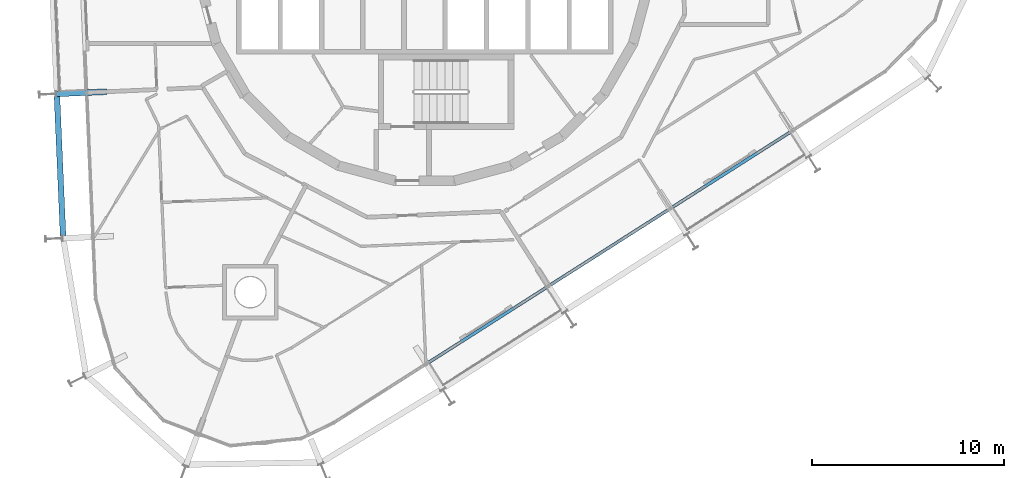
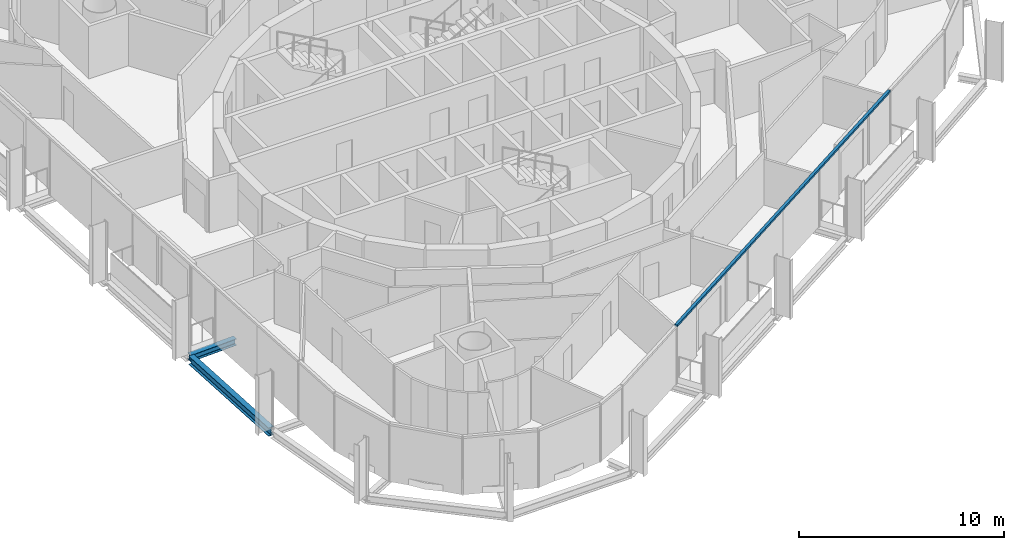
# One storey, part 3 of 18: 2 beams, 1 member, 1 element without a shape of its own.
"""IFC4 building model written with IfcOpenShell, lengths in metres."""

import ifcopenshell
import ifcopenshell.guid

model = None  # the IFC model being written
_history = None  # IfcOwnerHistory: only IFC2X3 demands one
_inside = {}  # id of a spatial element -> (the spatial element, [elements in it])
_under = {}  # id of a project, library or spatial element -> (it, [spatial elements below it])
_declared = {}  # id of a project -> (the project, [libraries it declares])
_typed = {}  # id of a type object -> (the type object, [elements of that type])
_made_of = {}  # id of a material, layer set ... -> (it, [elements and type objects made of it])


def new_model(schema):
    """Start an empty IFC model of exactly this schema.

    Asked for "IFC4X3", IfcOpenShell would pick the latest addendum, in which some entities
    have other attributes; the version numbers below select the first issue.
    IFC2X3 requires an IfcOwnerHistory on every rooted entity: one is made here for all.
    """
    global model, _history
    if schema == "IFC4X3":
        model = ifcopenshell.file(schema_version=(4, 3, 0, 0))
    else:
        model = ifcopenshell.file(schema=schema)
    _inside.clear()
    _under.clear()
    _declared.clear()
    _typed.clear()
    _made_of.clear()
    _history = None
    if model.schema == "IFC2X3":
        org = make("IfcOrganization", Name="unknown")
        user = make(
            "IfcPersonAndOrganization",
            ThePerson=make("IfcPerson", FamilyName="unknown"),
            TheOrganization=org,
        )
        app = make(
            "IfcApplication",
            ApplicationDeveloper=org,
            Version="unknown",
            ApplicationFullName="unknown",
            ApplicationIdentifier="unknown",
        )
        _history = make(
            "IfcOwnerHistory",
            OwningUser=user,
            OwningApplication=app,
            ChangeAction="ADDED",
            CreationDate=0,
        )
    return model


def make(cls, **values):
    """One entity of the class cls with the attributes given. An attribute that is None is left unset."""
    return model.create_entity(
        cls, **{name: value for name, value in values.items() if value is not None}
    )


def rooted(cls, **values):
    """An entity with a GlobalId (a new one), such as an element, a storey or a relation."""
    return make(cls, GlobalId=ifcopenshell.guid.new(), OwnerHistory=_history, **values)


def si_unit(unit_type, name, prefix=None):
    """IfcSIUnit, for example si_unit("LENGTHUNIT", "METRE", prefix="MILLI")."""
    return make("IfcSIUnit", UnitType=unit_type, Prefix=prefix, Name=name)


def assignment(units):
    """IfcUnitAssignment: the units of a project."""
    return None if units is None else make("IfcUnitAssignment", Units=units)


def point(xyz):
    """IfcCartesianPoint."""
    return None if xyz is None else make("IfcCartesianPoint", Coordinates=xyz)


def direction(xyz):
    """IfcDirection."""
    return None if xyz is None else make("IfcDirection", DirectionRatios=xyz)


def frame(location, z_axis=None, x_axis=None):
    """IfcAxis2Placement3D, a coordinate frame: its origin and axes. An axis left out is left unset."""
    return make(
        "IfcAxis2Placement3D",
        Location=point(location),
        Axis=direction(z_axis),
        RefDirection=direction(x_axis),
    )


def frame_2d(location, x_axis=None):
    """IfcAxis2Placement2D, a coordinate frame in the plane: its origin and x axis."""
    return make(
        "IfcAxis2Placement2D", Location=point(location), RefDirection=direction(x_axis)
    )


def origin():
    """The frame at (0, 0, 0) with its axes left unset."""
    return frame((0.0, 0.0, 0.0))


def origin_2d():
    """The frame at (0, 0) in the plane with its x axis left unset."""
    return frame_2d((0.0, 0.0))


def place(relative_to, where):
    """IfcLocalPlacement: puts the frame where relative to a parent placement (None: the world)."""
    return make(
        "IfcLocalPlacement", PlacementRelTo=relative_to, RelativePlacement=where
    )


def context(
    kind, dimensions, precision=None, world=None, true_north=None, identifier=None
):
    """IfcGeometricRepresentationContext, for example the 3D "Model" context."""
    return make(
        "IfcGeometricRepresentationContext",
        ContextIdentifier=identifier,
        ContextType=kind,
        CoordinateSpaceDimension=dimensions,
        Precision=precision,
        WorldCoordinateSystem=world,
        TrueNorth=true_north,
    )


def subcontext(parent, identifier, kind, view, scale=None):
    """IfcGeometricRepresentationSubContext, for example "Body" below "Model"."""
    return make(
        "IfcGeometricRepresentationSubContext",
        ContextIdentifier=identifier,
        ContextType=kind,
        ParentContext=parent,
        TargetScale=scale,
        TargetView=view,
    )


def project(units=None, contexts=None):
    """IfcProject with its units and contexts."""
    return rooted(
        "IfcProject",
        Name="project",
        RepresentationContexts=contexts,
        UnitsInContext=assignment(units),
    )


def spatial(cls, under=None, at=None, **own):
    """A site, building, storey or space (cls), placed at a placement, below another one or the project."""
    s = rooted(cls, ObjectPlacement=at, **own)
    if under is not None:
        _under.setdefault(under.id(), (under, []))[1].append(s)
    return s


def profile(cls, at=None, kind="AREA", **sizes):
    """A parametric profile (cls). Its sizes go by their IFC names, for example OverallWidth=200.0."""
    return make(cls, ProfileType=kind, Position=at, **sizes)


def rectangle(**sizes):
    """IfcRectangleProfileDef."""
    return profile("IfcRectangleProfileDef", **sizes)


def i_section(**sizes):
    """IfcIShapeProfileDef."""
    return profile("IfcIShapeProfileDef", **sizes)


def extrude(swept, where, along, depth):
    """IfcExtrudedAreaSolid: the profile swept, set in the frame where, extruded along a direction by depth."""
    return make(
        "IfcExtrudedAreaSolid",
        SweptArea=swept,
        Position=where,
        ExtrudedDirection=direction(along),
        Depth=depth,
    )


def shape(context_of_items, identifier, shape_type, items):
    """IfcShapeRepresentation: the items that make up one representation, for example the "Body"."""
    return make(
        "IfcShapeRepresentation",
        ContextOfItems=context_of_items,
        RepresentationIdentifier=identifier,
        RepresentationType=shape_type,
        Items=items,
    )


def material(Name=None, Category=None):
    """IfcMaterial."""
    return make("IfcMaterial", Name=Name, Category=Category)


def layer(
    of_material, thickness, ventilated=None, Name=None, Category=None, Priority=None
):
    """IfcMaterialLayer: one layer of a wall or slab, of a material (None: an air gap)."""
    return make(
        "IfcMaterialLayer",
        Material=of_material,
        LayerThickness=thickness,
        IsVentilated=ventilated,
        Name=Name,
        Category=Category,
        Priority=Priority,
    )


def layer_set(layers, Name=None):
    """IfcMaterialLayerSet."""
    return make("IfcMaterialLayerSet", MaterialLayers=layers, LayerSetName=Name)


def material_profile(
    of_material, cross_section, Name=None, Category=None, Priority=None
):
    """IfcMaterialProfile: a cross section and its material."""
    return make(
        "IfcMaterialProfile",
        Name=Name,
        Material=of_material,
        Profile=cross_section,
        Priority=Priority,
        Category=Category,
    )


def profile_set(profiles, Name=None, composite=None):
    """IfcMaterialProfileSet."""
    return make(
        "IfcMaterialProfileSet",
        Name=Name,
        MaterialProfiles=profiles,
        CompositeProfile=composite,
    )


def made_of(thing, what):
    """Note that an element or type object is made of a material, layer set ...; save() writes the relation."""
    if what is not None:
        _made_of.setdefault(what.id(), (what, []))[1].append(thing)
    return thing


def type_object(cls, material=None, **own):
    """A type object (cls), such as IfcWallType, which elements share."""
    return made_of(rooted(cls, **own), material)


def element(
    cls,
    number,
    at=None,
    inside=None,
    cuts=None,
    type_object=None,
    material=None,
    context=None,
    identifier="Body",
    shape_type=None,
    held_by="IfcProductDefinitionShape",
    body=None,
    shapes=None,
    **own,
):
    """One element of the class cls, such as IfcWall. Its Tag is "e" and its number.

    at: its placement. inside: the storey or other place that contains it. cuts: it is an
    opening in that element (IfcRelVoidsElement). A single representation is given by context,
    identifier, shape_type and body (its items); several are given by shapes. held_by: the class
    of the entity that holds the representations. save() writes the other relations.
    """
    e = rooted(cls, Tag="e%d" % number, ObjectPlacement=at, **own)
    if body is not None:
        shapes = [shape(context, identifier, shape_type, body)]
    if shapes is not None:
        e.Representation = make(held_by, Representations=shapes)
    if inside is not None:
        _inside.setdefault(inside.id(), (inside, []))[1].append(e)
    if cuts is not None:
        rooted(
            "IfcRelVoidsElement", RelatingBuildingElement=cuts, RelatedOpeningElement=e
        )
    if type_object is not None:
        _typed.setdefault(type_object.id(), (type_object, []))[1].append(e)
    return made_of(e, material)


def aggregate(whole, parts):
    """IfcRelAggregates: a whole, such as a stair, and the parts it consists of."""
    return rooted("IfcRelAggregates", RelatingObject=whole, RelatedObjects=parts)


def save(model, path):
    """Write the relations noted so far, then the file.

    IfcRelAggregates (storeys below a building ...), IfcRelContainedInSpatialStructure (elements
    in a storey), IfcRelDefinesByType, IfcRelAssociatesMaterial and IfcRelDeclares: one each for
    every whole, place, type object, material and project.
    """
    for whole, parts in _under.values():
        aggregate(whole, parts)
    for where, things in _inside.values():
        rooted(
            "IfcRelContainedInSpatialStructure",
            RelatedElements=things,
            RelatingStructure=where,
        )
    for kind, things in _typed.values():
        rooted("IfcRelDefinesByType", RelatedObjects=things, RelatingType=kind)
    for what, things in _made_of.values():
        rooted("IfcRelAssociatesMaterial", RelatedObjects=things, RelatingMaterial=what)
    for by, libraries in _declared.values():
        rooted("IfcRelDeclares", RelatingContext=by, RelatedDefinitions=libraries)
    model.write(path)


model = new_model("IFC4")

# Units and contexts
model_context = context("Model", 3, precision=1e-05, world=origin(), true_north=direction((0.0, 1.0)))
body_context = subcontext(model_context, "Body", "Model", "MODEL_VIEW")
ifc_project = project(units=[si_unit("LENGTHUNIT", "METRE"), si_unit("AREAUNIT", "SQUARE_METRE"), si_unit("VOLUMEUNIT", "CUBIC_METRE"), si_unit("PLANEANGLEUNIT", "RADIAN"), si_unit("MASSUNIT", "GRAM", prefix="KILO")], contexts=[model_context])

# Site, building, storey
site_placement = place(None, origin())
site = spatial("IfcSite", under=ifc_project, at=site_placement, CompositionType="ELEMENT")
building_placement = place(site_placement, origin())
building = spatial("IfcBuilding", under=site, at=building_placement, Name="Spindle Arch Residences", CompositionType="ELEMENT")
storey_placement = place(building_placement, frame((0.0, 0.0, 247.699951171875)))
storey = spatial("IfcBuildingStorey", under=building, at=storey_placement, Name="L63", CompositionType="ELEMENT", Elevation=247.699951171875)

# Curtain wall, member
ifc_material_1 = material(Name="Aluminium bronze unitised frame with tinted glass", Category="aluminium")
ifc_layer = layer(ifc_material_1, 0.159912109375)
ifc_layer_set = layer_set([ifc_layer], Name="CW-C typical residential unitised wall")
curtain_wall_type = type_object("IfcCurtainWallType", Name="CW-C typical residential unitised wall", PredefinedType="NOTDEFINED", material=ifc_layer_set)
curtain_wall_placement = place(storey_placement, origin())
curtain_wall = element("IfcCurtainWall", 1, at=curtain_wall_placement, inside=storey, type_object=curtain_wall_type, Name="CW-C L63 run 6", PredefinedType="NOTDEFINED")
ifc_material_2 = material(Name="Aluminium bronze anodised transom", Category="aluminium")
ifc_material_profile_1 = material_profile(ifc_material_2, rectangle(XDim=0.159912109375, YDim=0.1201171875, at=origin_2d()), Name="TR 120x160")
ifc_profile_set_1 = profile_set([ifc_material_profile_1], Name="Aluminium bronze anodised transom")
member_type = type_object("IfcMemberType", Name="Bronze transom 120x160", PredefinedType="USERDEFINED", material=ifc_profile_set_1)
member_placement = place(storey_placement, frame((0.12451171875, -21.16162109375, 3.06005859375), z_axis=(0.84339053968, 0.537301030688, 0.0), x_axis=(-0.537301030688, 0.84339053968, 0.0)))
member = element("IfcMember", 2, at=member_placement, type_object=member_type, Name="CW-C transom 00", ObjectType="TRANSOM", PredefinedType="USERDEFINED", context=body_context, shape_type="SweptSolid", body=[
    extrude(rectangle(XDim=0.159912109375, YDim=0.1201171875, at=origin_2d()), origin(), (0.0, 0.0, 1.0), 22.530029296875),
])
aggregate(curtain_wall, [member])

# Beams
ifc_material_3 = material(Name="Steel S460ML, intumescent coating R 120", Category="steel")
ifc_material_profile_2 = material_profile(ifc_material_3, i_section(OverallWidth=0.300048828125, OverallDepth=0.5, WebThickness=0.014404296875, FlangeThickness=0.028076171875, FilletRadius=0.027099609375, at=origin_2d()), Name="HEB 500")
ifc_profile_set_2 = profile_set([ifc_material_profile_2], Name="Steel S460ML, intumescent coating R 120")
beam_type_1 = type_object("IfcBeamType", Name="Exoskeleton edge beam HEB 500", PredefinedType="BEAM", material=ifc_profile_set_2)
beam_1_placement = place(storey_placement, frame((-19.156494140625, -7.24755859375, -0.6298828125), z_axis=(0.043622301665, -0.999048094337, 0.0), x_axis=(0.999048094337, 0.043622301665, 0.0)))
element("IfcBeam", 3, at=beam_1_placement, inside=storey, type_object=beam_type_1, Name="Exoskeleton edge beam 16", PredefinedType="BEAM", context=body_context, shape_type="SweptSolid", body=[
    extrude(i_section(OverallWidth=0.300048828125, OverallDepth=0.5, WebThickness=0.014404296875, FlangeThickness=0.028076171875, FilletRadius=0.027099609375, at=origin_2d()), origin(), (0.0, 0.0, 1.0), 7.27001953125),
])
ifc_material_4 = material(Name="Steel S460ML, intumescent coating R 120", Category="steel")
ifc_material_profile_3 = material_profile(ifc_material_4, i_section(OverallWidth=0.300048828125, OverallDepth=0.389892578125, WebThickness=0.010986328125, FlangeThickness=0.01904296875, FilletRadius=0.027099609375, at=origin_2d()), Name="HEA 400")
ifc_profile_set_3 = profile_set([ifc_material_profile_3], Name="Steel S460ML, intumescent coating R 120")
beam_type_2 = type_object("IfcBeamType", Name="Floor outrigger HEA 400", PredefinedType="BEAM", material=ifc_profile_set_3)
beam_2_placement = place(storey_placement, frame((-19.192138671875, -7.118896484375, -0.574951171875), z_axis=(0.999050064545, 0.04357715608, 0.0), x_axis=(-0.04357715608, 0.999050064545, 0.0)))
element("IfcBeam", 4, at=beam_2_placement, inside=storey, type_object=beam_type_2, Name="Floor outrigger 16", PredefinedType="BEAM", context=body_context, shape_type="SweptSolid", body=[
    extrude(i_section(OverallWidth=0.300048828125, OverallDepth=0.389892578125, WebThickness=0.010986328125, FlangeThickness=0.01904296875, FilletRadius=0.027099609375, at=origin_2d()), origin(), (0.0, 0.0, 1.0), 2.64990234375),
])

save(model, "model.ifc")
